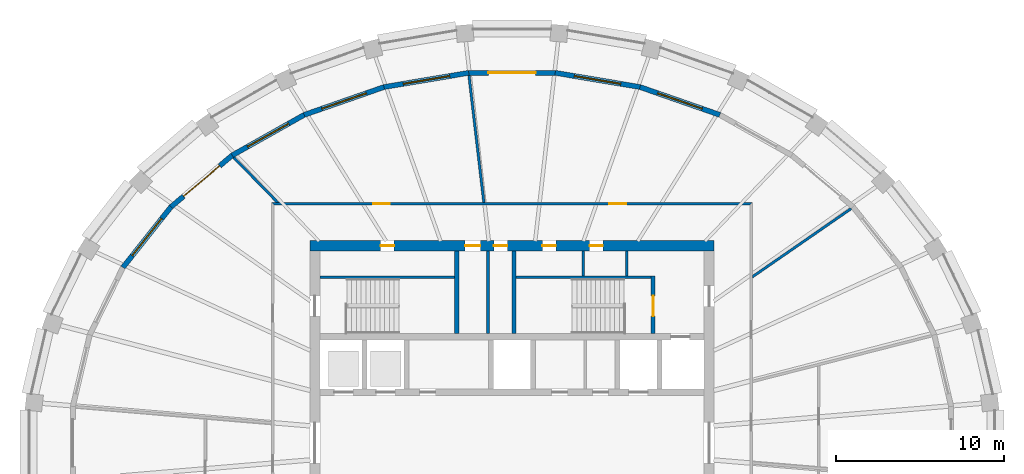
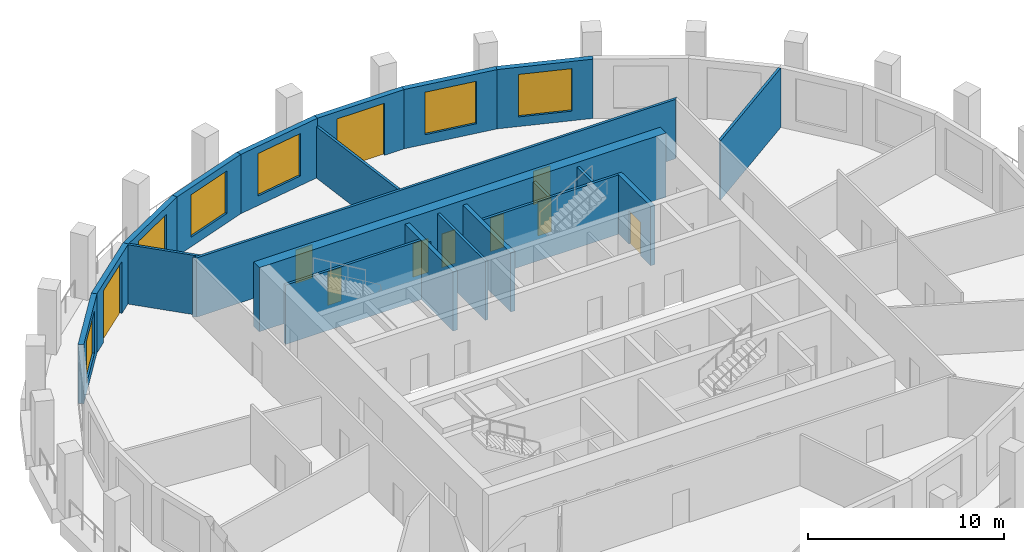
# One storey, part 6 of 10: 21 walls, 10 doors, 6 windows, 16 openings.
"""IFC4 building model written with IfcOpenShell, lengths in metres."""

import ifcopenshell
import ifcopenshell.guid

model = None  # the IFC model being written
_history = None  # IfcOwnerHistory: only IFC2X3 demands one
_inside = {}  # id of a spatial element -> (the spatial element, [elements in it])
_under = {}  # id of a project, library or spatial element -> (it, [spatial elements below it])
_declared = {}  # id of a project -> (the project, [libraries it declares])
_typed = {}  # id of a type object -> (the type object, [elements of that type])
_made_of = {}  # id of a material, layer set ... -> (it, [elements and type objects made of it])


def new_model(schema):
    """Start an empty IFC model of exactly this schema.

    Asked for "IFC4X3", IfcOpenShell would pick the latest addendum, in which some entities
    have other attributes; the version numbers below select the first issue.
    IFC2X3 requires an IfcOwnerHistory on every rooted entity: one is made here for all.
    """
    global model, _history
    if schema == "IFC4X3":
        model = ifcopenshell.file(schema_version=(4, 3, 0, 0))
    else:
        model = ifcopenshell.file(schema=schema)
    _inside.clear()
    _under.clear()
    _declared.clear()
    _typed.clear()
    _made_of.clear()
    _history = None
    if model.schema == "IFC2X3":
        org = make("IfcOrganization", Name="unknown")
        user = make(
            "IfcPersonAndOrganization",
            ThePerson=make("IfcPerson", FamilyName="unknown"),
            TheOrganization=org,
        )
        app = make(
            "IfcApplication",
            ApplicationDeveloper=org,
            Version="unknown",
            ApplicationFullName="unknown",
            ApplicationIdentifier="unknown",
        )
        _history = make(
            "IfcOwnerHistory",
            OwningUser=user,
            OwningApplication=app,
            ChangeAction="ADDED",
            CreationDate=0,
        )
    return model


def make(cls, **values):
    """One entity of the class cls with the attributes given. An attribute that is None is left unset."""
    return model.create_entity(
        cls, **{name: value for name, value in values.items() if value is not None}
    )


def rooted(cls, **values):
    """An entity with a GlobalId (a new one), such as an element, a storey or a relation."""
    return make(cls, GlobalId=ifcopenshell.guid.new(), OwnerHistory=_history, **values)


def si_unit(unit_type, name, prefix=None):
    """IfcSIUnit, for example si_unit("LENGTHUNIT", "METRE", prefix="MILLI")."""
    return make("IfcSIUnit", UnitType=unit_type, Prefix=prefix, Name=name)


def assignment(units):
    """IfcUnitAssignment: the units of a project."""
    return None if units is None else make("IfcUnitAssignment", Units=units)


def point(xyz):
    """IfcCartesianPoint."""
    return None if xyz is None else make("IfcCartesianPoint", Coordinates=xyz)


def direction(xyz):
    """IfcDirection."""
    return None if xyz is None else make("IfcDirection", DirectionRatios=xyz)


def frame(location, z_axis=None, x_axis=None):
    """IfcAxis2Placement3D, a coordinate frame: its origin and axes. An axis left out is left unset."""
    return make(
        "IfcAxis2Placement3D",
        Location=point(location),
        Axis=direction(z_axis),
        RefDirection=direction(x_axis),
    )


def frame_2d(location, x_axis=None):
    """IfcAxis2Placement2D, a coordinate frame in the plane: its origin and x axis."""
    return make(
        "IfcAxis2Placement2D", Location=point(location), RefDirection=direction(x_axis)
    )


def origin():
    """The frame at (0, 0, 0) with its axes left unset."""
    return frame((0.0, 0.0, 0.0))


def place(relative_to, where):
    """IfcLocalPlacement: puts the frame where relative to a parent placement (None: the world)."""
    return make(
        "IfcLocalPlacement", PlacementRelTo=relative_to, RelativePlacement=where
    )


def context(
    kind, dimensions, precision=None, world=None, true_north=None, identifier=None
):
    """IfcGeometricRepresentationContext, for example the 3D "Model" context."""
    return make(
        "IfcGeometricRepresentationContext",
        ContextIdentifier=identifier,
        ContextType=kind,
        CoordinateSpaceDimension=dimensions,
        Precision=precision,
        WorldCoordinateSystem=world,
        TrueNorth=true_north,
    )


def subcontext(parent, identifier, kind, view, scale=None):
    """IfcGeometricRepresentationSubContext, for example "Body" below "Model"."""
    return make(
        "IfcGeometricRepresentationSubContext",
        ContextIdentifier=identifier,
        ContextType=kind,
        ParentContext=parent,
        TargetScale=scale,
        TargetView=view,
    )


def project(units=None, contexts=None):
    """IfcProject with its units and contexts."""
    return rooted(
        "IfcProject",
        Name="project",
        RepresentationContexts=contexts,
        UnitsInContext=assignment(units),
    )


def spatial(cls, under=None, at=None, **own):
    """A site, building, storey or space (cls), placed at a placement, below another one or the project."""
    s = rooted(cls, ObjectPlacement=at, **own)
    if under is not None:
        _under.setdefault(under.id(), (under, []))[1].append(s)
    return s


def polyline(points):
    """IfcPolyline through the points."""
    return make("IfcPolyline", Points=[point(p) for p in points])


def profile(cls, at=None, kind="AREA", **sizes):
    """A parametric profile (cls). Its sizes go by their IFC names, for example OverallWidth=200.0."""
    return make(cls, ProfileType=kind, Position=at, **sizes)


def rectangle(**sizes):
    """IfcRectangleProfileDef."""
    return profile("IfcRectangleProfileDef", **sizes)


def outline(outer, holes=None, kind="AREA"):
    """IfcArbitraryClosedProfileDef: a profile drawn as a closed curve; with holes, ...WithVoids."""
    if holes is None:
        return make("IfcArbitraryClosedProfileDef", ProfileType=kind, OuterCurve=outer)
    return make(
        "IfcArbitraryProfileDefWithVoids",
        ProfileType=kind,
        OuterCurve=outer,
        InnerCurves=holes,
    )


def extrude(swept, where, along, depth):
    """IfcExtrudedAreaSolid: the profile swept, set in the frame where, extruded along a direction by depth."""
    return make(
        "IfcExtrudedAreaSolid",
        SweptArea=swept,
        Position=where,
        ExtrudedDirection=direction(along),
        Depth=depth,
    )


def shape(context_of_items, identifier, shape_type, items):
    """IfcShapeRepresentation: the items that make up one representation, for example the "Body"."""
    return make(
        "IfcShapeRepresentation",
        ContextOfItems=context_of_items,
        RepresentationIdentifier=identifier,
        RepresentationType=shape_type,
        Items=items,
    )


def material(Name=None, Category=None):
    """IfcMaterial."""
    return make("IfcMaterial", Name=Name, Category=Category)


def layer(
    of_material, thickness, ventilated=None, Name=None, Category=None, Priority=None
):
    """IfcMaterialLayer: one layer of a wall or slab, of a material (None: an air gap)."""
    return make(
        "IfcMaterialLayer",
        Material=of_material,
        LayerThickness=thickness,
        IsVentilated=ventilated,
        Name=Name,
        Category=Category,
        Priority=Priority,
    )


def layer_set(layers, Name=None):
    """IfcMaterialLayerSet."""
    return make("IfcMaterialLayerSet", MaterialLayers=layers, LayerSetName=Name)


def made_of(thing, what):
    """Note that an element or type object is made of a material, layer set ...; save() writes the relation."""
    if what is not None:
        _made_of.setdefault(what.id(), (what, []))[1].append(thing)
    return thing


def type_object(cls, material=None, **own):
    """A type object (cls), such as IfcWallType, which elements share."""
    return made_of(rooted(cls, **own), material)


def element(
    cls,
    number,
    at=None,
    inside=None,
    cuts=None,
    type_object=None,
    material=None,
    context=None,
    identifier="Body",
    shape_type=None,
    held_by="IfcProductDefinitionShape",
    body=None,
    shapes=None,
    **own,
):
    """One element of the class cls, such as IfcWall. Its Tag is "e" and its number.

    at: its placement. inside: the storey or other place that contains it. cuts: it is an
    opening in that element (IfcRelVoidsElement). A single representation is given by context,
    identifier, shape_type and body (its items); several are given by shapes. held_by: the class
    of the entity that holds the representations. save() writes the other relations.
    """
    e = rooted(cls, Tag="e%d" % number, ObjectPlacement=at, **own)
    if body is not None:
        shapes = [shape(context, identifier, shape_type, body)]
    if shapes is not None:
        e.Representation = make(held_by, Representations=shapes)
    if inside is not None:
        _inside.setdefault(inside.id(), (inside, []))[1].append(e)
    if cuts is not None:
        rooted(
            "IfcRelVoidsElement", RelatingBuildingElement=cuts, RelatedOpeningElement=e
        )
    if type_object is not None:
        _typed.setdefault(type_object.id(), (type_object, []))[1].append(e)
    return made_of(e, material)


def fill(opening, filler):
    """IfcRelFillsElement: the door or window that sits in an opening."""
    return rooted(
        "IfcRelFillsElement",
        RelatingOpeningElement=opening,
        RelatedBuildingElement=filler,
    )


def aggregate(whole, parts):
    """IfcRelAggregates: a whole, such as a stair, and the parts it consists of."""
    return rooted("IfcRelAggregates", RelatingObject=whole, RelatedObjects=parts)


def save(model, path):
    """Write the relations noted so far, then the file.

    IfcRelAggregates (storeys below a building ...), IfcRelContainedInSpatialStructure (elements
    in a storey), IfcRelDefinesByType, IfcRelAssociatesMaterial and IfcRelDeclares: one each for
    every whole, place, type object, material and project.
    """
    for whole, parts in _under.values():
        aggregate(whole, parts)
    for where, things in _inside.values():
        rooted(
            "IfcRelContainedInSpatialStructure",
            RelatedElements=things,
            RelatingStructure=where,
        )
    for kind, things in _typed.values():
        rooted("IfcRelDefinesByType", RelatedObjects=things, RelatingType=kind)
    for what, things in _made_of.values():
        rooted("IfcRelAssociatesMaterial", RelatedObjects=things, RelatingMaterial=what)
    for by, libraries in _declared.values():
        rooted("IfcRelDeclares", RelatingContext=by, RelatedDefinitions=libraries)
    model.write(path)


model = new_model("IFC4")

# Units and contexts
model_context = context("Model", 3, precision=1e-05, world=origin(), true_north=direction((0.0, 1.0)))
body_context = subcontext(model_context, "Body", "Model", "MODEL_VIEW")
ifc_project = project(units=[si_unit("LENGTHUNIT", "METRE"), si_unit("AREAUNIT", "SQUARE_METRE"), si_unit("VOLUMEUNIT", "CUBIC_METRE"), si_unit("PLANEANGLEUNIT", "RADIAN"), si_unit("MASSUNIT", "GRAM", prefix="KILO")], contexts=[model_context])

# Site, building, storey
site_placement = place(None, origin())
site = spatial("IfcSite", under=ifc_project, at=site_placement, CompositionType="ELEMENT")
building_placement = place(site_placement, origin())
building = spatial("IfcBuilding", under=site, at=building_placement, Name="Halqa Exchange Tower", CompositionType="ELEMENT")
storey_placement = place(building_placement, frame((0.0, 0.0, 312.300048828125)))
storey = spatial("IfcBuildingStorey", under=building, at=storey_placement, Name="L73", CompositionType="ELEMENT", Elevation=312.300048828125)

# Wall
ifc_material_1 = material(Name="Fire-rated gypsum board")
ifc_layer_1 = layer(ifc_material_1, 0.14990234375)
ifc_layer_set_1 = layer_set([ifc_layer_1], Name="Fire-rated gypsum board")
wall_type_1 = type_object("IfcWallType", Name="Fire partition EI 60 150", PredefinedType="PARTITIONING", material=ifc_layer_set_1)
wall_1_placement = place(storey_placement, frame((-16.524658203125, 16.94970703125, 0.0), z_axis=(0.0, 0.0, 1.0), x_axis=(0.698599984797, -0.715512446602, 0.0)))
element("IfcWall", 1, at=wall_1_placement, inside=storey, type_object=wall_type_1, Name="L73-PWL-004", PredefinedType="PARTITIONING", context=body_context, shape_type="SweptSolid", body=[
    extrude(outline(polyline([(0.0, -0.074951171875), (1.83251953125, -0.074951171875), (3.6650390625, -0.074951171875), (3.81103515625, 0.07470703125), (3.81103515625, 0.074951171875), (1.918212890625, 0.074951171875), (0.025390625, 0.074951171875), (0.00537109375, 0.0), (0.0, -0.07373046875), (0.0, -0.074951171875)])), origin(), (0.0, 0.0, 1.0), 3.699951171875),
])

# Wall, openings, doors
wall_2_placement = place(storey_placement, frame((-14.27490234375, 14.199951171875, 0.0), z_axis=(0.0, 0.0, 1.0), x_axis=(1.0, 0.0, 0.0)))
wall_2 = element("IfcWall", 2, at=wall_2_placement, inside=storey, type_object=wall_type_1, Name="L73-PWL-008", PredefinedType="PARTITIONING", context=body_context, shape_type="SweptSolid", body=[
    extrude(outline(polyline([(0.14990234375, -0.074951171875), (2.033203125, -0.074951171875), (3.91650390625, -0.074951171875), (5.7998046875, -0.074951171875), (7.683349609375, -0.074951171875), (9.566650390625, -0.074951171875), (11.449951171875, -0.074951171875), (13.333251953125, -0.074951171875), (15.216552734375, -0.074951171875), (17.099853515625, -0.074951171875), (18.983154296875, -0.074951171875), (20.866455078125, -0.074951171875), (22.75, -0.074951171875), (24.63330078125, -0.074951171875), (26.5166015625, -0.074951171875), (28.39990234375, -0.074951171875), (28.5498046875, 0.074951171875), (28.5498046875, 0.074951171875), (26.646484375, 0.074951171875), (24.7431640625, 0.074951171875), (22.83984375, 0.074951171875), (20.9365234375, 0.074951171875), (19.033203125, 0.074951171875), (17.1298828125, 0.074951171875), (15.2265625, 0.074951171875), (13.3232421875, 0.074951171875), (11.419921875, 0.074951171875), (9.5166015625, 0.074951171875), (7.61328125, 0.074951171875), (5.7099609375, 0.074951171875), (3.806640625, 0.074951171875), (1.9033203125, 0.074951171875), (0.0, 0.074951171875), (0.14990234375, -0.074951171875)])), origin(), (0.0, 0.0, 1.0), 3.699951171875),
])
opening_1_placement = place(wall_2_placement, frame((20.044921875, 0.0, 0.0)))
opening_1 = element("IfcOpeningElement", 3, at=opening_1_placement, cuts=wall_2, Name="Opening 22-11", PredefinedType="OPENING", context=body_context, shape_type="SweptSolid", body=[
    extrude(rectangle(XDim=1.0, YDim=2.10009765625, at=frame_2d((0.5, 1.050048828125))), frame((0.0, 0.0869140625, 0.0), z_axis=(0.0, -1.0, 0.0), x_axis=(1.0, 0.0, 0.0)), (0.0, 0.0, 1.0), 0.173828125),
])
opening_2_placement = place(wall_2_placement, frame((6.02490234375, 0.0, 0.0)))
opening_2 = element("IfcOpeningElement", 4, at=opening_2_placement, cuts=wall_2, Name="Opening 22-12", PredefinedType="OPENING", context=body_context, shape_type="SweptSolid", body=[
    extrude(rectangle(XDim=1.0, YDim=2.10009765625, at=frame_2d((0.5, 1.050048828125))), frame((0.0, 0.0869140625, 0.0), z_axis=(0.0, -1.0, 0.0), x_axis=(1.0, 0.0, 0.0)), (0.0, 0.0, 1.0), 0.173828125),
])
ifc_material_2 = material(Name="Steel fire door leaf", Category="steel")
door_type_1 = type_object("IfcDoorType", Name="Fire door FD30S 1000 x 2100", OperationType="SINGLE_SWING_LEFT", PredefinedType="DOOR", material=ifc_material_2)
door_1_placement = place(opening_1_placement, origin())
door_1 = element("IfcDoor", 5, at=door_1_placement, inside=storey, type_object=door_type_1, Name="L73-IDR-011", OperationType="SINGLE_SWING_RIGHT", OverallHeight=2.10009765625, OverallWidth=1.0, PredefinedType="DOOR", context=body_context, shape_type="SweptSolid", body=[
    extrude(rectangle(XDim=1.0, YDim=2.10009765625, at=frame_2d((0.5, 1.050048828125))), frame((0.0, 0.02490234375, 0.0), z_axis=(0.0, -1.0, 0.0), x_axis=(1.0, 0.0, 0.0)), (0.0, 0.0, 1.0), 0.050048828125),
])
fill(opening_1, door_1)
door_2_placement = place(opening_2_placement, origin())
door_2 = element("IfcDoor", 6, at=door_2_placement, inside=storey, type_object=door_type_1, Name="L73-IDR-012", OperationType="SINGLE_SWING_RIGHT", OverallHeight=2.10009765625, OverallWidth=1.0, PredefinedType="DOOR", context=body_context, shape_type="SweptSolid", body=[
    extrude(rectangle(XDim=1.0, YDim=2.10009765625, at=frame_2d((0.5, 1.050048828125))), frame((0.0, 0.02490234375, 0.0), z_axis=(0.0, -1.0, 0.0), x_axis=(1.0, 0.0, 0.0)), (0.0, 0.0, 1.0), 0.050048828125),
])
fill(opening_2, door_2)

# Walls
wall_3_placement = place(storey_placement, frame((-1.667724609375, 14.2666015625, 0.0), z_axis=(0.0, 0.0, 1.0), x_axis=(-0.116619367809, 0.993176682696, 0.0)))
element("IfcWall", 7, at=wall_3_placement, inside=storey, type_object=wall_type_1, Name="L73-PWL-010", PredefinedType="PARTITIONING", context=body_context, shape_type="SweptSolid", body=[
    extrude(outline(polyline([(0.0, -0.074951171875), (1.898193359375, -0.074951171875), (3.79638671875, -0.074951171875), (5.694580078125, -0.074951171875), (7.5927734375, -0.074951171875), (7.59716796875, -0.03662109375), (7.59716796875, 0.074951171875), (5.7021484375, 0.074951171875), (3.80712890625, 0.074951171875), (1.912353515625, 0.074951171875), (0.017333984375, 0.074951171875), (0.0, -0.072021484375), (0.0, -0.074951171875)])), origin(), (0.0, 0.0, 1.0), 3.199951171875),
])
wall_4_placement = place(storey_placement, frame((14.232421875, 9.83251953125, 0.0), z_axis=(0.0, 0.0, 1.0), x_axis=(0.822725997435, 0.568438152436, 0.0)))
element("IfcWall", 8, at=wall_4_placement, inside=storey, type_object=wall_type_1, Name="L73-PWL-017", PredefinedType="PARTITIONING", context=body_context, shape_type="SweptSolid", body=[
    extrude(outline(polyline([(0.0, -0.074951171875), (1.79345703125, -0.074951171875), (3.5869140625, -0.074951171875), (5.38037109375, -0.074951171875), (7.173828125, -0.074951171875), (7.1689453125, -0.000732421875), (7.148193359375, 0.074951171875), (5.386962890625, 0.074951171875), (3.6259765625, 0.074951171875), (1.86474609375, 0.074951171875), (0.103515625, 0.074951171875), (0.0, -0.074951171875), (0.0, -0.074951171875)])), origin(), (0.0, 0.0, 1.0), 3.699951171875),
])
ifc_material_3 = material(Name="Gypsum board")
ifc_layer_2 = layer(ifc_material_3, 0.14990234375)
ifc_layer_set_2 = layer_set([ifc_layer_2], Name="Gypsum board")
wall_type_2 = type_object("IfcWallType", Name="Penthouse riser wall 150 gypsum", PredefinedType="PARTITIONING", material=ifc_layer_set_2)
wall_5_placement = place(storey_placement, frame((-1.425048828125, 6.5, 0.0), z_axis=(0.0, 0.0, 1.0), x_axis=(0.0, 1.0, 0.0)))
element("IfcWall", 9, at=wall_5_placement, inside=storey, type_object=wall_type_2, Name="Partition W1.425 N", PredefinedType="PARTITIONING", context=body_context, shape_type="SweptSolid", body=[
    extrude(rectangle(XDim=4.89990234375, YDim=0.14990234375, at=frame_2d((2.449951171875, 0.0))), origin(), (0.0, 0.0, 1.0), 3.699951171875),
])
for number, where, z_axis, x_axis, name in (
    (10, (4.22509765625, 9.89990234375, 0.0), (0.0, 0.0, 1.0), (0.0, 1.0, 0.0), "Partition E4.225 N"),
    (11, (6.824951171875, 9.89990234375, 0.0), (0.0, 0.0, 1.0), (0.0, 1.0, 0.0), "Firefighting lobby west wall N"),
):
    element("IfcWall", number, at=place(storey_placement, frame(where, z_axis=z_axis, x_axis=x_axis)), inside=storey, type_object=wall_type_2, Name=name, PredefinedType="PARTITIONING", context=body_context, shape_type="SweptSolid", body=[
        extrude(rectangle(XDim=1.5, YDim=0.14990234375, at=frame_2d((0.75, 0.0))), origin(), (0.0, 0.0, 1.0), 3.699951171875),
    ])

# Wall, openings, doors
ifc_material_4 = material(Name="Concrete C60/75", Category="concrete")
ifc_layer_3 = layer(ifc_material_4, 0.60009765625)
ifc_layer_set_3 = layer_set([ifc_layer_3], Name="Concrete C60/75")
wall_type_3 = type_object("IfcWallType", Name="RC core wall 600 C60/75", PredefinedType="SHEAR", material=ifc_layer_set_3)
wall_6_placement = place(storey_placement, frame((-12.0, 11.699951171875, 0.0), z_axis=(0.0, 0.0, 1.0), x_axis=(1.0, 0.0, 0.0)))
wall_6 = element("IfcWall", 12, at=wall_6_placement, inside=storey, type_object=wall_type_3, Name="Core wall north", PredefinedType="SHEAR", context=body_context, shape_type="SweptSolid", body=[
    extrude(rectangle(XDim=24.0, YDim=0.60009765625, at=frame_2d((12.0, 0.0))), origin(), (0.0, 0.0, 1.0), 4.0),
])
opening_3_placement = place(wall_6_placement, frame((9.22509765625, 0.0, 0.0)))
opening_3 = element("IfcOpeningElement", 13, at=opening_3_placement, cuts=wall_6, Name="Opening T22-C17", PredefinedType="OPENING", context=body_context, shape_type="SweptSolid", body=[
    extrude(rectangle(XDim=0.89990234375, YDim=2.10009765625, at=frame_2d((0.449951171875, 1.050048828125))), frame((0.0, 0.31201171875, 0.0), z_axis=(0.0, -1.0, 0.0), x_axis=(1.0, 0.0, 0.0)), (0.0, 0.0, 1.0), 0.6240234375),
])
opening_4_placement = place(wall_6_placement, frame((10.925048828125, 0.0, 0.0)))
opening_4 = element("IfcOpeningElement", 14, at=opening_4_placement, cuts=wall_6, Name="Opening T22-C18", PredefinedType="OPENING", context=body_context, shape_type="SweptSolid", body=[
    extrude(rectangle(XDim=0.800048828125, YDim=2.10009765625, at=frame_2d((0.39990234375, 1.050048828125))), frame((0.0, 0.31201171875, 0.0), z_axis=(0.0, -1.0, 0.0), x_axis=(1.0, 0.0, 0.0)), (0.0, 0.0, 1.0), 0.6240234375),
])
opening_5_placement = place(wall_6_placement, frame((4.199951171875, 0.0, 0.0)))
opening_5 = element("IfcOpeningElement", 15, at=opening_5_placement, cuts=wall_6, Name="Opening T22-C19", PredefinedType="OPENING", context=body_context, shape_type="SweptSolid", body=[
    extrude(rectangle(XDim=0.800048828125, YDim=2.10009765625, at=frame_2d((0.39990234375, 1.050048828125))), frame((0.0, 0.31201171875, 0.0), z_axis=(0.0, -1.0, 0.0), x_axis=(1.0, 0.0, 0.0)), (0.0, 0.0, 1.0), 0.6240234375),
])
opening_6_placement = place(wall_6_placement, frame((13.800048828125, 0.0, 0.0)))
opening_6 = element("IfcOpeningElement", 16, at=opening_6_placement, cuts=wall_6, Name="Opening T22-C20", PredefinedType="OPENING", context=body_context, shape_type="SweptSolid", body=[
    extrude(rectangle(XDim=0.800048828125, YDim=2.10009765625, at=frame_2d((0.39990234375, 1.050048828125))), frame((0.0, 0.31201171875, 0.0), z_axis=(0.0, -1.0, 0.0), x_axis=(1.0, 0.0, 0.0)), (0.0, 0.0, 1.0), 0.6240234375),
])
opening_7_placement = place(wall_6_placement, frame((16.60009765625, 0.0, 0.0)))
opening_7 = element("IfcOpeningElement", 17, at=opening_7_placement, cuts=wall_6, Name="Opening T22-C21", PredefinedType="OPENING", context=body_context, shape_type="SweptSolid", body=[
    extrude(rectangle(XDim=0.800048828125, YDim=2.10009765625, at=frame_2d((0.39990234375, 1.050048828125))), frame((0.0, 0.31201171875, 0.0), z_axis=(0.0, -1.0, 0.0), x_axis=(1.0, 0.0, 0.0)), (0.0, 0.0, 1.0), 0.6240234375),
])
ifc_material_5 = material(Name="Timber fire door leaf", Category="wood")
door_type_2 = type_object("IfcDoorType", Name="Core room door FD30 900 x 2100", OperationType="SINGLE_SWING_LEFT", PredefinedType="DOOR", material=ifc_material_5)
door_3_placement = place(opening_3_placement, frame((0.89990234375, 0.0, 0.0), z_axis=(0.0, 0.0, 1.0), x_axis=(-1.0, 0.0, 0.0)))
door_3 = element("IfcDoor", 18, at=door_3_placement, inside=storey, type_object=door_type_2, Name="Core room door", OperationType="SINGLE_SWING_RIGHT", OverallHeight=2.10009765625, OverallWidth=0.89990234375, PredefinedType="DOOR", context=body_context, shape_type="SweptSolid", body=[
    extrude(rectangle(XDim=0.89990234375, YDim=2.10009765625, at=frame_2d((0.449951171875, 1.050048828125))), frame((0.0, 0.02490234375, 0.0), z_axis=(0.0, -1.0, 0.0), x_axis=(1.0, 0.0, 0.0)), (0.0, 0.0, 1.0), 0.050048828125),
])
fill(opening_3, door_3)
door_type_3 = type_object("IfcDoorType", Name="Riser door FD60 800 x 2100", OperationType="SINGLE_SWING_LEFT", PredefinedType="DOOR", material=ifc_material_2)
door_4_placement = place(opening_4_placement, frame((0.800048828125, 0.0, 0.0), z_axis=(0.0, 0.0, 1.0), x_axis=(-1.0, 0.0, 0.0)))
door_4 = element("IfcDoor", 19, at=door_4_placement, inside=storey, type_object=door_type_3, Name="Core room door", OperationType="SINGLE_SWING_LEFT", OverallHeight=2.10009765625, OverallWidth=0.800048828125, PredefinedType="DOOR", context=body_context, shape_type="SweptSolid", body=[
    extrude(rectangle(XDim=0.800048828125, YDim=2.10009765625, at=frame_2d((0.39990234375, 1.050048828125))), frame((0.0, 0.02490234375, 0.0), z_axis=(0.0, -1.0, 0.0), x_axis=(1.0, 0.0, 0.0)), (0.0, 0.0, 1.0), 0.050048828125),
])
fill(opening_4, door_4)
door_5_placement = place(opening_5_placement, frame((0.800048828125, 0.0, 0.0), z_axis=(0.0, 0.0, 1.0), x_axis=(-1.0, 0.0, 0.0)))
door_5 = element("IfcDoor", 20, at=door_5_placement, inside=storey, type_object=door_type_3, Name="Core room door", OperationType="SINGLE_SWING_LEFT", OverallHeight=2.10009765625, OverallWidth=0.800048828125, PredefinedType="DOOR", context=body_context, shape_type="SweptSolid", body=[
    extrude(rectangle(XDim=0.800048828125, YDim=2.10009765625, at=frame_2d((0.39990234375, 1.050048828125))), frame((0.0, 0.02490234375, 0.0), z_axis=(0.0, -1.0, 0.0), x_axis=(1.0, 0.0, 0.0)), (0.0, 0.0, 1.0), 0.050048828125),
])
fill(opening_5, door_5)
door_6_placement = place(opening_6_placement, frame((0.800048828125, 0.0, 0.0), z_axis=(0.0, 0.0, 1.0), x_axis=(-1.0, 0.0, 0.0)))
door_6 = element("IfcDoor", 21, at=door_6_placement, inside=storey, type_object=door_type_3, Name="Core room door", OperationType="SINGLE_SWING_RIGHT", OverallHeight=2.10009765625, OverallWidth=0.800048828125, PredefinedType="DOOR", context=body_context, shape_type="SweptSolid", body=[
    extrude(rectangle(XDim=0.800048828125, YDim=2.10009765625, at=frame_2d((0.39990234375, 1.050048828125))), frame((0.0, 0.02490234375, 0.0), z_axis=(0.0, -1.0, 0.0), x_axis=(1.0, 0.0, 0.0)), (0.0, 0.0, 1.0), 0.050048828125),
])
fill(opening_6, door_6)
door_7_placement = place(opening_7_placement, frame((0.800048828125, 0.0, 0.0), z_axis=(0.0, 0.0, 1.0), x_axis=(-1.0, 0.0, 0.0)))
door_7 = element("IfcDoor", 22, at=door_7_placement, inside=storey, type_object=door_type_3, Name="Core room door", OperationType="SINGLE_SWING_LEFT", OverallHeight=2.10009765625, OverallWidth=0.800048828125, PredefinedType="DOOR", context=body_context, shape_type="SweptSolid", body=[
    extrude(rectangle(XDim=0.800048828125, YDim=2.10009765625, at=frame_2d((0.39990234375, 1.050048828125))), frame((0.0, 0.02490234375, 0.0), z_axis=(0.0, -1.0, 0.0), x_axis=(1.0, 0.0, 0.0)), (0.0, 0.0, 1.0), 0.050048828125),
])
fill(opening_7, door_7)

# Walls
ifc_material_6 = material(Name="Concrete C30/37", Category="concrete")
ifc_layer_4 = layer(ifc_material_6, 0.14990234375)
ifc_layer_set_4 = layer_set([ifc_layer_4], Name="Concrete C30/37")
wall_type_4 = type_object("IfcWallType", Name="RC stair wall 150 C30/37", PredefinedType="SHEAR", material=ifc_layer_set_4)
for number, where, z_axis, x_axis, name in (
    (23, (-11.39990234375, 9.824951171875, 0.0), (0.0, 0.0, 1.0), (1.0, 0.0, 0.0), "Stair ST1 north wall N"),
    (24, (0.25, 9.824951171875, 0.0), (0.0, 0.0, 1.0), (1.0, 0.0, 0.0), "Stair ST2 north wall N"),
):
    element("IfcWall", number, at=place(storey_placement, frame(where, z_axis=z_axis, x_axis=x_axis)), inside=storey, type_object=wall_type_4, Name=name, PredefinedType="SHEAR", context=body_context, shape_type="SweptSolid", body=[
        extrude(rectangle(XDim=8.0, YDim=0.14990234375, at=frame_2d((4.0, 0.0))), origin(), (0.0, 0.0, 1.0), 3.699951171875),
    ])
ifc_layer_5 = layer(ifc_material_6, 0.25)
ifc_layer_set_5 = layer_set([ifc_layer_5], Name="Concrete C30/37")
wall_type_5 = type_object("IfcWallType", Name="RC stair wall 250 C30/37", PredefinedType="SHEAR", material=ifc_layer_set_5)
for number, where, z_axis, x_axis, name in (
    (25, (-3.27490234375, 6.5, 0.0), (0.0, 0.0, 1.0), (0.0, 1.0, 0.0), "Stair ST1 east wall N"),
    (26, (0.125, 6.5, 0.0), (0.0, 0.0, 1.0), (0.0, 1.0, 0.0), "Stair ST2 west wall N"),
):
    element("IfcWall", number, at=place(storey_placement, frame(where, z_axis=z_axis, x_axis=x_axis)), inside=storey, type_object=wall_type_5, Name=name, PredefinedType="SHEAR", context=body_context, shape_type="SweptSolid", body=[
        extrude(rectangle(XDim=4.89990234375, YDim=0.25, at=frame_2d((2.449951171875, 0.0))), origin(), (0.0, 0.0, 1.0), 3.699951171875),
    ])

# Wall, opening, door
wall_7_placement = place(storey_placement, frame((8.375, 6.5, 0.0), z_axis=(0.0, 0.0, 1.0), x_axis=(0.0, 1.0, 0.0)))
wall_7 = element("IfcWall", 27, at=wall_7_placement, inside=storey, type_object=wall_type_5, Name="Stair ST2 east wall N", PredefinedType="SHEAR", context=body_context, shape_type="SweptSolid", body=[
    extrude(rectangle(XDim=3.39990234375, YDim=0.25, at=frame_2d((1.699951171875, 0.0))), origin(), (0.0, 0.0, 1.0), 3.699951171875),
])
opening_8_placement = place(wall_7_placement, frame((1.02490234375, 0.0, 0.0)))
opening_8 = element("IfcOpeningElement", 28, at=opening_8_placement, cuts=wall_7, Name="Opening T22-C12", PredefinedType="OPENING", context=body_context, shape_type="SweptSolid", body=[
    extrude(rectangle(XDim=1.199951171875, YDim=2.10009765625, at=frame_2d((0.60009765625, 1.050048828125))), frame((0.0, 0.136962890625, 0.0), z_axis=(0.0, -1.0, 0.0), x_axis=(1.0, 0.0, 0.0)), (0.0, 0.0, 1.0), 0.27392578125),
])
door_type_4 = type_object("IfcDoorType", Name="Stair door FD90 1200 x 2100", OperationType="SINGLE_SWING_LEFT", PredefinedType="DOOR", material=ifc_material_2)
door_8_placement = place(opening_8_placement, origin())
door_8 = element("IfcDoor", 29, at=door_8_placement, inside=storey, type_object=door_type_4, Name="Stair door ST2", OperationType="SINGLE_SWING_RIGHT", OverallHeight=2.10009765625, OverallWidth=1.199951171875, PredefinedType="DOOR", context=body_context, shape_type="SweptSolid", body=[
    extrude(rectangle(XDim=1.199951171875, YDim=2.10009765625, at=frame_2d((0.60009765625, 1.050048828125))), frame((0.0, 0.02490234375, 0.0), z_axis=(0.0, -1.0, 0.0), x_axis=(1.0, 0.0, 0.0)), (0.0, 0.0, 1.0), 0.050048828125),
])
fill(opening_8, door_8)

# Wall, opening, window
ifc_material_7 = material(Name="Limestone cladding", Category="masonry")
ifc_layer_6 = layer(ifc_material_7, 0.0400390625)
ifc_material_8 = material(Name="Ventilated cavity")
ifc_layer_7 = layer(ifc_material_8, 0.030029296875, ventilated=True)
ifc_material_9 = material(Name="Mineral wool insulation")
ifc_layer_8 = layer(ifc_material_9, 0.10009765625)
ifc_layer_9 = layer(ifc_material_6, 0.10009765625)
ifc_material_10 = material(Name="Internal plaster")
ifc_layer_10 = layer(ifc_material_10, 0.030029296875)
ifc_layer_set_6 = layer_set([ifc_layer_6, ifc_layer_7, ifc_layer_8, ifc_layer_9, ifc_layer_10], Name="Stone-faced insulated wall 300")
wall_type_6 = type_object("IfcWallType", Name="Stone-faced insulated wall 300", PredefinedType="STANDARD", material=ifc_layer_set_6)
wall_8_placement = place(storey_placement, frame((12.338134765625, 19.470703125, 0.0), z_axis=(0.0, 0.0, 1.0), x_axis=(-0.944251863618, 0.329223963365, 0.0)))
wall_8 = element("IfcWall", 30, at=wall_8_placement, inside=storey, type_object=wall_type_6, Name="Glass-line wall 6", PredefinedType="STANDARD", context=body_context, shape_type="SweptSolid", body=[
    extrude(outline(polyline([(-0.01318359375, -0.14990234375), (5.033935546875, -0.14990234375), (5.008544921875, 0.14990234375), (0.01318359375, 0.14990234375), (-0.01318359375, -0.14990234375)])), origin(), (0.0, 0.0, 1.0), 3.699951171875),
])
opening_9_placement = place(wall_8_placement, frame((1.110595703125, 0.0, 0.60009765625)))
opening_9 = element("IfcOpeningElement", 31, at=opening_9_placement, cuts=wall_8, Name="Opening W-F4-06", PredefinedType="OPENING", context=body_context, shape_type="SweptSolid", body=[
    extrude(rectangle(XDim=2.800048828125, YDim=2.64990234375, at=frame_2d((1.39990234375, 1.324951171875))), frame((0.0, 0.162109375, 0.0), z_axis=(0.0, -1.0, 0.0), x_axis=(1.0, 0.0, 0.0)), (0.0, 0.0, 1.0), 0.323974609375),
])
ifc_material_11 = material(Name="Clear low-emissivity glass in aluminium frame", Category="aluminium")
window_type = type_object("IfcWindowType", Name="Fixed clear glazed window 2800 x 2650", PartitioningType="DOUBLE_PANEL_VERTICAL", PredefinedType="WINDOW", material=ifc_material_11)
window_1_placement = place(opening_9_placement, origin())
window_1 = element("IfcWindow", 32, at=window_1_placement, inside=storey, type_object=window_type, Name="Window 4", OverallHeight=2.64990234375, OverallWidth=2.800048828125, PartitioningType="DOUBLE_PANEL_VERTICAL", PredefinedType="WINDOW", context=body_context, shape_type="SweptSolid", body=[
    extrude(rectangle(XDim=2.800048828125, YDim=2.64990234375, at=frame_2d((1.39990234375, 1.324951171875))), frame((0.0, 0.030029296875, 0.0), z_axis=(0.0, -1.0, 0.0), x_axis=(1.0, 0.0, 0.0)), (0.0, 0.0, 1.0), 0.06005859375),
])
fill(opening_9, window_1)

wall_9_placement = place(storey_placement, frame((7.596923828125, 21.123779296875, 0.0), z_axis=(0.0, 0.0, 1.0), x_axis=(-0.986269480969, 0.165143909695, 0.0)))
wall_9 = element("IfcWall", 33, at=wall_9_placement, inside=storey, type_object=wall_type_6, Name="Glass-line wall 7", PredefinedType="STANDARD", context=body_context, shape_type="SweptSolid", body=[
    extrude(outline(polyline([(-0.0126953125, -0.14990234375), (5.1142578125, -0.14990234375), (5.08935546875, 0.14990234375), (0.0126953125, 0.14990234375), (-0.0126953125, -0.14990234375)])), origin(), (0.0, 0.0, 1.0), 3.699951171875),
])
opening_10_placement = place(wall_9_placement, frame((1.15087890625, 0.0, 0.60009765625)))
opening_10 = element("IfcOpeningElement", 34, at=opening_10_placement, cuts=wall_9, Name="Opening W-F4-07", PredefinedType="OPENING", context=body_context, shape_type="SweptSolid", body=[
    extrude(rectangle(XDim=2.800048828125, YDim=2.64990234375, at=frame_2d((1.39990234375, 1.324951171875))), frame((0.0, 0.162109375, 0.0), z_axis=(0.0, -1.0, 0.0), x_axis=(1.0, 0.0, 0.0)), (0.0, 0.0, 1.0), 0.323974609375),
])
window_2_placement = place(opening_10_placement, origin())
window_2 = element("IfcWindow", 35, at=window_2_placement, inside=storey, type_object=window_type, Name="Window 4", OverallHeight=2.64990234375, OverallWidth=2.800048828125, PartitioningType="DOUBLE_PANEL_VERTICAL", PredefinedType="WINDOW", context=body_context, shape_type="SweptSolid", body=[
    extrude(rectangle(XDim=2.800048828125, YDim=2.64990234375, at=frame_2d((1.39990234375, 1.324951171875))), frame((0.0, 0.030029296875, 0.0), z_axis=(0.0, -1.0, 0.0), x_axis=(1.0, 0.0, 0.0)), (0.0, 0.0, 1.0), 0.06005859375),
])
fill(opening_10, window_2)

# Wall, opening, door
wall_10_placement = place(storey_placement, frame((2.565185546875, 21.96630859375, 0.0), z_axis=(0.0, 0.0, 1.0), x_axis=(-1.0, 0.0, 0.0)))
wall_10 = element("IfcWall", 36, at=wall_10_placement, inside=storey, type_object=wall_type_6, Name="Glass-line wall 8", PredefinedType="STANDARD", context=body_context, shape_type="SweptSolid", body=[
    extrude(outline(polyline([(-0.012451171875, -0.14990234375), (5.142822265625, -0.14990234375), (5.117919921875, 0.14990234375), (0.012451171875, 0.14990234375), (-0.012451171875, -0.14990234375)])), origin(), (0.0, 0.0, 1.0), 3.699951171875),
])
opening_11_placement = place(wall_10_placement, frame((1.1650390625, 0.0, 0.0)))
opening_11 = element("IfcOpeningElement", 37, at=opening_11_placement, cuts=wall_10, Name="Opening LG-F4-02", PredefinedType="OPENING", context=body_context, shape_type="SweptSolid", body=[
    extrude(rectangle(XDim=2.800048828125, YDim=3.25, at=frame_2d((1.39990234375, 1.625))), frame((0.0, 0.162109375, 0.0), z_axis=(0.0, -1.0, 0.0), x_axis=(1.0, 0.0, 0.0)), (0.0, 0.0, 1.0), 0.323974609375),
])
door_type_5 = type_object("IfcDoorType", Name="Glazed sliding loggia door 2800 x 3250", OperationType="DOUBLE_DOOR_SLIDING", PredefinedType="DOOR", material=ifc_material_11)
door_9_placement = place(opening_11_placement, origin())
door_9 = element("IfcDoor", 38, at=door_9_placement, inside=storey, type_object=door_type_5, Name="Loggia door 2", OperationType="DOUBLE_DOOR_SLIDING", OverallHeight=3.25, OverallWidth=2.800048828125, PredefinedType="DOOR", context=body_context, shape_type="SweptSolid", body=[
    extrude(rectangle(XDim=2.800048828125, YDim=3.25, at=frame_2d((1.39990234375, 1.625))), frame((0.0, 0.02490234375, 0.0), z_axis=(0.0, -1.0, 0.0), x_axis=(1.0, 0.0, 0.0)), (0.0, 0.0, 1.0), 0.050048828125),
])
fill(opening_11, door_9)

# Wall, opening, window
wall_11_placement = place(storey_placement, frame((-2.565185546875, 21.96630859375, 0.0), z_axis=(0.0, 0.0, 1.0), x_axis=(-0.986269480969, -0.165143909695, 0.0)))
wall_11 = element("IfcWall", 39, at=wall_11_placement, inside=storey, type_object=wall_type_6, Name="Glass-line wall 9", PredefinedType="STANDARD", context=body_context, shape_type="SweptSolid", body=[
    extrude(outline(polyline([(-0.012451171875, -0.14990234375), (5.114501953125, -0.14990234375), (5.089111328125, 0.14990234375), (0.012451171875, 0.14990234375), (-0.012451171875, -0.14990234375)])), origin(), (0.0, 0.0, 1.0), 3.699951171875),
])
opening_12_placement = place(wall_11_placement, frame((1.15087890625, 0.0, 0.60009765625)))
opening_12 = element("IfcOpeningElement", 40, at=opening_12_placement, cuts=wall_11, Name="Opening W-F4-09", PredefinedType="OPENING", context=body_context, shape_type="SweptSolid", body=[
    extrude(rectangle(XDim=2.800048828125, YDim=2.64990234375, at=frame_2d((1.39990234375, 1.324951171875))), frame((0.0, 0.162109375, 0.0), z_axis=(0.0, -1.0, 0.0), x_axis=(1.0, 0.0, 0.0)), (0.0, 0.0, 1.0), 0.323974609375),
])
window_3_placement = place(opening_12_placement, origin())
window_3 = element("IfcWindow", 41, at=window_3_placement, inside=storey, type_object=window_type, Name="Window 4", OverallHeight=2.64990234375, OverallWidth=2.800048828125, PartitioningType="DOUBLE_PANEL_VERTICAL", PredefinedType="WINDOW", context=body_context, shape_type="SweptSolid", body=[
    extrude(rectangle(XDim=2.800048828125, YDim=2.64990234375, at=frame_2d((1.39990234375, 1.324951171875))), frame((0.0, 0.030029296875, 0.0), z_axis=(0.0, -1.0, 0.0), x_axis=(1.0, 0.0, 0.0)), (0.0, 0.0, 1.0), 0.06005859375),
])
fill(opening_12, window_3)

wall_12_placement = place(storey_placement, frame((-7.596923828125, 21.123779296875, 0.0), z_axis=(0.0, 0.0, 1.0), x_axis=(-0.944251863618, -0.329223963365, 0.0)))
wall_12 = element("IfcWall", 42, at=wall_12_placement, inside=storey, type_object=wall_type_6, Name="Glass-line wall 10", PredefinedType="STANDARD", context=body_context, shape_type="SweptSolid", body=[
    extrude(outline(polyline([(-0.0126953125, -0.14990234375), (5.034423828125, -0.14990234375), (5.008056640625, 0.14990234375), (0.0126953125, 0.14990234375), (-0.0126953125, -0.14990234375)])), origin(), (0.0, 0.0, 1.0), 3.699951171875),
])
opening_13_placement = place(wall_12_placement, frame((1.110595703125, 0.0, 0.60009765625)))
opening_13 = element("IfcOpeningElement", 43, at=opening_13_placement, cuts=wall_12, Name="Opening W-F4-10", PredefinedType="OPENING", context=body_context, shape_type="SweptSolid", body=[
    extrude(rectangle(XDim=2.800048828125, YDim=2.64990234375, at=frame_2d((1.39990234375, 1.324951171875))), frame((0.0, 0.162109375, 0.0), z_axis=(0.0, -1.0, 0.0), x_axis=(1.0, 0.0, 0.0)), (0.0, 0.0, 1.0), 0.323974609375),
])
window_4_placement = place(opening_13_placement, origin())
window_4 = element("IfcWindow", 44, at=window_4_placement, inside=storey, type_object=window_type, Name="Window 4", OverallHeight=2.64990234375, OverallWidth=2.800048828125, PartitioningType="DOUBLE_PANEL_VERTICAL", PredefinedType="WINDOW", context=body_context, shape_type="SweptSolid", body=[
    extrude(rectangle(XDim=2.800048828125, YDim=2.64990234375, at=frame_2d((1.39990234375, 1.324951171875))), frame((0.0, 0.030029296875, 0.0), z_axis=(0.0, -1.0, 0.0), x_axis=(1.0, 0.0, 0.0)), (0.0, 0.0, 1.0), 0.06005859375),
])
fill(opening_13, window_4)

wall_13_placement = place(storey_placement, frame((-12.338134765625, 19.470703125, 0.0), z_axis=(0.0, 0.0, 1.0), x_axis=(-0.871570211895, -0.490270706588, 0.0)))
wall_13 = element("IfcWall", 45, at=wall_13_placement, inside=storey, type_object=wall_type_6, Name="Glass-line wall 11", PredefinedType="STANDARD", context=body_context, shape_type="SweptSolid", body=[
    extrude(outline(polyline([(-0.01318359375, -0.14990234375), (4.91162109375, -0.14990234375), (4.88330078125, 0.14990234375), (0.01318359375, 0.14990234375), (-0.01318359375, -0.14990234375)])), origin(), (0.0, 0.0, 1.0), 3.699951171875),
])
opening_14_placement = place(wall_13_placement, frame((1.048828125, 0.0, 0.60009765625)))
opening_14 = element("IfcOpeningElement", 46, at=opening_14_placement, cuts=wall_13, Name="Opening W-F4-11", PredefinedType="OPENING", context=body_context, shape_type="SweptSolid", body=[
    extrude(rectangle(XDim=2.800048828125, YDim=2.64990234375, at=frame_2d((1.39990234375, 1.324951171875))), frame((0.0, 0.162109375, 0.0), z_axis=(0.0, -1.0, 0.0), x_axis=(1.0, 0.0, 0.0)), (0.0, 0.0, 1.0), 0.323974609375),
])
window_5_placement = place(opening_14_placement, origin())
window_5 = element("IfcWindow", 47, at=window_5_placement, inside=storey, type_object=window_type, Name="Window 4", OverallHeight=2.64990234375, OverallWidth=2.800048828125, PartitioningType="DOUBLE_PANEL_VERTICAL", PredefinedType="WINDOW", context=body_context, shape_type="SweptSolid", body=[
    extrude(rectangle(XDim=2.800048828125, YDim=2.64990234375, at=frame_2d((1.39990234375, 1.324951171875))), frame((0.0, 0.030029296875, 0.0), z_axis=(0.0, -1.0, 0.0), x_axis=(1.0, 0.0, 0.0)), (0.0, 0.0, 1.0), 0.06005859375),
])
fill(opening_14, window_5)

# Wall, opening, door
wall_14_placement = place(storey_placement, frame((-16.606689453125, 17.069580078125, 0.0), z_axis=(0.0, 0.0, 1.0), x_axis=(-0.765059193792, -0.643959959931, 0.0)))
wall_14 = element("IfcWall", 48, at=wall_14_placement, inside=storey, type_object=wall_type_6, Name="Glass-line wall 12", PredefinedType="STANDARD", context=body_context, shape_type="SweptSolid", body=[
    extrude(outline(polyline([(-0.01416015625, -0.14990234375), (4.762939453125, -0.14990234375), (4.732666015625, 0.14990234375), (0.01416015625, 0.14990234375), (-0.01416015625, -0.14990234375)])), origin(), (0.0, 0.0, 1.0), 3.699951171875),
])
opening_15_placement = place(wall_14_placement, frame((0.973876953125, 0.0, 0.0)))
opening_15 = element("IfcOpeningElement", 49, at=opening_15_placement, cuts=wall_14, Name="Opening LG-F4-03", PredefinedType="OPENING", context=body_context, shape_type="SweptSolid", body=[
    extrude(rectangle(XDim=2.800048828125, YDim=3.25, at=frame_2d((1.39990234375, 1.625))), frame((0.0, 0.162109375, 0.0), z_axis=(0.0, -1.0, 0.0), x_axis=(1.0, 0.0, 0.0)), (0.0, 0.0, 1.0), 0.323974609375),
])
door_10_placement = place(opening_15_placement, origin())
door_10 = element("IfcDoor", 50, at=door_10_placement, inside=storey, type_object=door_type_5, Name="Loggia door 3", OperationType="DOUBLE_DOOR_SLIDING", OverallHeight=3.25, OverallWidth=2.800048828125, PredefinedType="DOOR", context=body_context, shape_type="SweptSolid", body=[
    extrude(rectangle(XDim=2.800048828125, YDim=3.25, at=frame_2d((1.39990234375, 1.625))), frame((0.0, 0.02490234375, 0.0), z_axis=(0.0, -1.0, 0.0), x_axis=(1.0, 0.0, 0.0)), (0.0, 0.0, 1.0), 0.050048828125),
])
fill(opening_15, door_10)

# Wall, opening, window
wall_15_placement = place(storey_placement, frame((-20.239013671875, 14.01220703125, 0.0), z_axis=(0.0, 0.0, 1.0), x_axis=(-0.621682706372, -0.78326918272, 0.0)))
wall_15 = element("IfcWall", 51, at=wall_15_placement, inside=storey, type_object=wall_type_6, Name="Glass-line wall 13", PredefinedType="STANDARD", context=body_context, shape_type="SweptSolid", body=[
    extrude(outline(polyline([(-0.01513671875, -0.14990234375), (4.609130859375, -0.14990234375), (4.576904296875, 0.14990234375), (0.01513671875, 0.14990234375), (-0.01513671875, -0.14990234375)])), origin(), (0.0, 0.0, 1.0), 3.699951171875),
])
opening_16_placement = place(wall_15_placement, frame((0.896484375, 0.0, 0.60009765625)))
opening_16 = element("IfcOpeningElement", 52, at=opening_16_placement, cuts=wall_15, Name="Opening W-F4-13", PredefinedType="OPENING", context=body_context, shape_type="SweptSolid", body=[
    extrude(rectangle(XDim=2.800048828125, YDim=2.64990234375, at=frame_2d((1.39990234375, 1.324951171875))), frame((0.0, 0.162109375, 0.0), z_axis=(0.0, -1.0, 0.0), x_axis=(1.0, 0.0, 0.0)), (0.0, 0.0, 1.0), 0.323974609375),
])
window_6_placement = place(opening_16_placement, origin())
window_6 = element("IfcWindow", 53, at=window_6_placement, inside=storey, type_object=window_type, Name="Window 4", OverallHeight=2.64990234375, OverallWidth=2.800048828125, PartitioningType="DOUBLE_PANEL_VERTICAL", PredefinedType="WINDOW", context=body_context, shape_type="SweptSolid", body=[
    extrude(rectangle(XDim=2.800048828125, YDim=2.64990234375, at=frame_2d((1.39990234375, 1.324951171875))), frame((0.0, 0.030029296875, 0.0), z_axis=(0.0, -1.0, 0.0), x_axis=(1.0, 0.0, 0.0)), (0.0, 0.0, 1.0), 0.06005859375),
])
fill(opening_16, window_6)

save(model, "model.ifc")
